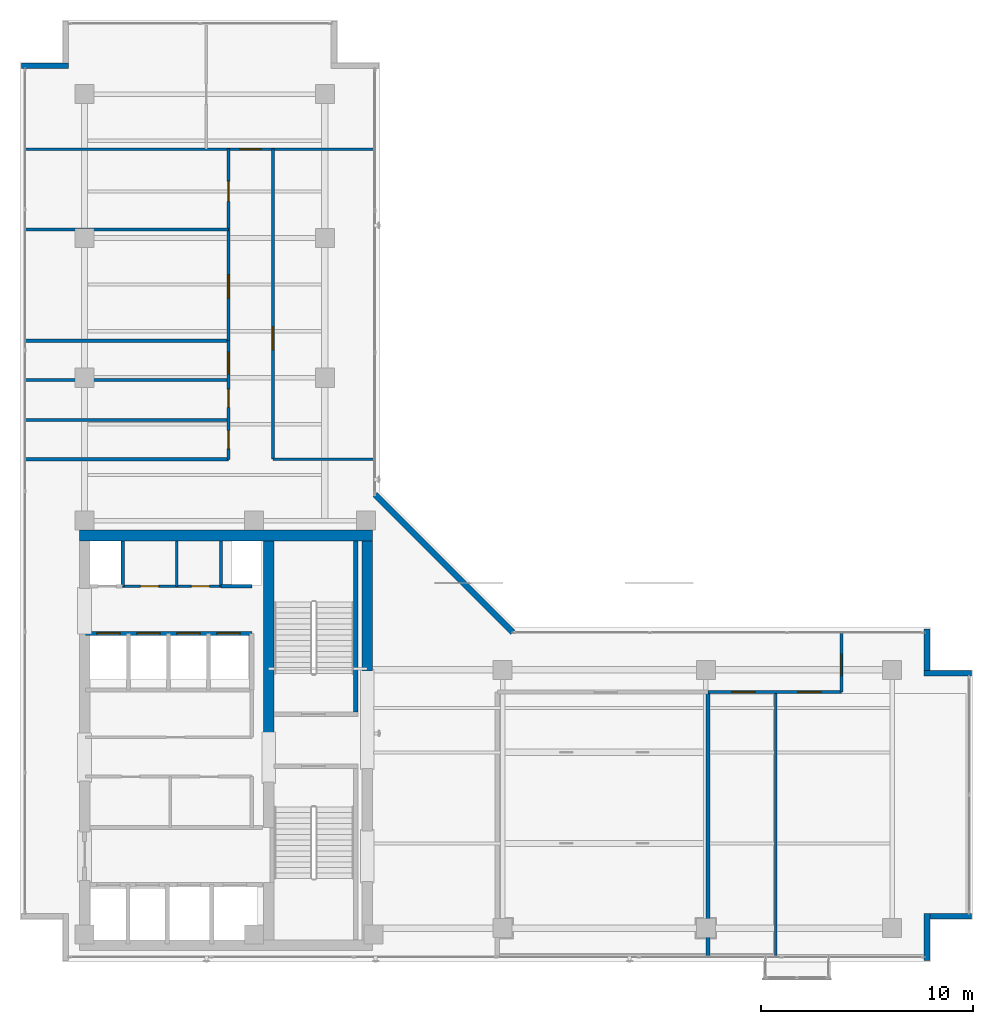
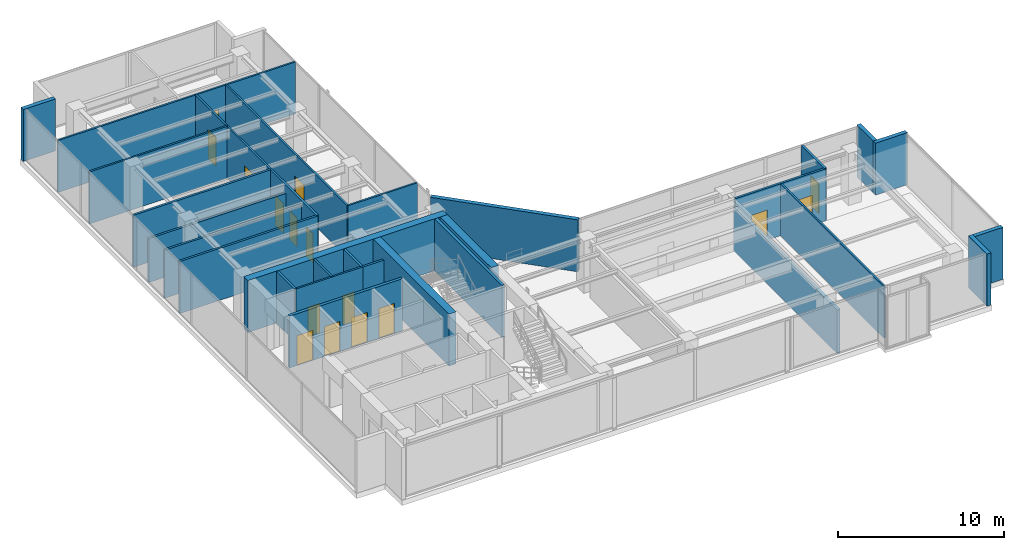
# One storey, part 26 of 32: 30 walls, 16 doors, 16 openings.
"""IFC4 building model written with IfcOpenShell, lengths in metres."""

from ifc_helpers import new_model, si_unit, direction, frame, frame_2d, origin, place, context, subcontext, project, spatial, rectangle, extrude, material, layer, layer_set, type_object, element, fill, save


model = new_model("IFC4")

# Units and contexts
model_context = context("Model", 3, precision=1e-05, world=origin(), true_north=direction((0.0, 1.0)))
body_context = subcontext(model_context, "Body", "Model", "MODEL_VIEW")
ifc_project = project(units=[si_unit("LENGTHUNIT", "METRE"), si_unit("AREAUNIT", "SQUARE_METRE"), si_unit("VOLUMEUNIT", "CUBIC_METRE"), si_unit("PLANEANGLEUNIT", "RADIAN"), si_unit("MASSUNIT", "GRAM", prefix="KILO")], contexts=[model_context])

# Site, building, storey
site_placement = place(None, origin())
site = spatial("IfcSite", under=ifc_project, at=site_placement, CompositionType="ELEMENT")
building_placement = place(site_placement, origin())
building = spatial("IfcBuilding", under=site, at=building_placement, Name="Kolvaren Waterfront Exchange", CompositionType="ELEMENT")
storey_placement = place(building_placement, frame((0.0, 0.0, 352.0)))
storey = spatial("IfcBuildingStorey", under=building, at=storey_placement, Name="L90", CompositionType="ELEMENT", Elevation=352.0)

# Walls
ifc_material_1 = material(Name="Precast concrete C40/50", Category="concrete")
ifc_layer_1 = layer(ifc_material_1, 0.280029296875, Name="Precast concrete C40/50")
ifc_layer_set_1 = layer_set([ifc_layer_1], Name="Precast concrete C40/50")
wall_type_1 = type_object("IfcWallType", Name="ARC-EXT-TERR-280", PredefinedType="SOLIDWALL", material=ifc_layer_set_1)
wall_1_placement = place(storey_placement, frame((47.239990234375, 3.659912109375, 0.0), z_axis=(0.0, 0.0, 1.0), x_axis=(0.0, 1.0, 0.0)))
element("IfcWall", 1, at=wall_1_placement, inside=storey, type_object=wall_type_1, Name="L90 notched corner spandrel pier SE-A", PredefinedType="SOLIDWALL", context=body_context, shape_type="SweptSolid", body=[
    extrude(rectangle(XDim=2.239990234375, YDim=0.280029296875, at=frame_2d((1.1201171875, 0.0))), origin(), (0.0, 0.0, 1.0), 3.820068359375),
])
wall_2_placement = place(storey_placement, frame((47.3798828125, 5.760009765625, 0.0), z_axis=(0.0, 0.0, 1.0), x_axis=(1.0, 0.0, 0.0)))
element("IfcWall", 2, at=wall_2_placement, inside=storey, type_object=wall_type_1, Name="L90 notched corner spandrel pier SE-B", PredefinedType="SOLIDWALL", context=body_context, shape_type="SweptSolid", body=[
    extrude(rectangle(XDim=1.960205078125, YDim=0.280029296875, at=frame_2d((0.97998046875, 0.0))), origin(), (0.0, 0.0, 1.0), 3.820068359375),
])
wall_3_placement = place(storey_placement, frame((47.239990234375, 17.364990234375, 0.0), z_axis=(0.0, 0.0, 1.0), x_axis=(0.0, 1.0, 0.0)))
element("IfcWall", 3, at=wall_3_placement, inside=storey, type_object=wall_type_1, Name="L90 notched corner spandrel pier ENE-A", PredefinedType="SOLIDWALL", context=body_context, shape_type="SweptSolid", body=[
    extrude(rectangle(XDim=1.97509765625, YDim=0.280029296875, at=frame_2d((0.987548828125, 0.0))), origin(), (0.0, 0.0, 1.0), 3.820068359375),
])
for number, where, z_axis, x_axis, name in (
    (4, (47.10009765625, 17.239990234375, 0.0), (0.0, 0.0, 1.0), (1.0, 0.0, 0.0), "L90 notched corner spandrel pier ENE-B"),
    (5, (4.4599609375, 45.93994140625, 0.0), (0.0, 0.0, 1.0), (1.0, 0.0, 0.0), "L90 notched corner spandrel pier NW-A"),
):
    element("IfcWall", number, at=place(storey_placement, frame(where, z_axis=z_axis, x_axis=x_axis)), inside=storey, type_object=wall_type_1, Name=name, PredefinedType="SOLIDWALL", context=body_context, shape_type="SweptSolid", body=[
        extrude(rectangle(XDim=2.239990234375, YDim=0.280029296875, at=frame_2d((1.1201171875, 0.0))), origin(), (0.0, 0.0, 1.0), 3.820068359375),
    ])
wall_4_placement = place(storey_placement, frame((27.68505859375, 19.175048828125, 0.0), z_axis=(0.0, 0.0, 1.0), x_axis=(-0.707106781187, 0.707106781187, 0.0)))
element("IfcWall", 6, at=wall_4_placement, inside=storey, type_object=wall_type_1, Name="L90 notched corner spandrel pier ELBOW", PredefinedType="SOLIDWALL", context=body_context, shape_type="SweptSolid", body=[
    extrude(rectangle(XDim=9.20654296875, YDim=0.280029296875, at=frame_2d((4.603271484375, 0.0))), origin(), (0.0, 0.0, 1.0), 3.820068359375),
])
ifc_layer_2 = layer(ifc_material_1, 0.199951171875, Name="Precast concrete C40/50")
ifc_layer_set_2 = layer_set([ifc_layer_2], Name="Precast concrete C40/50")
wall_type_2 = type_object("IfcWallType", Name="ARC-FIRE-200", PredefinedType="PARTITIONING", material=ifc_layer_set_2)
wall_5_placement = place(storey_placement, frame((36.89990234375, 3.85009765625, 0.0), z_axis=(0.0, 0.0, 1.0), x_axis=(0.0, 1.0, 0.0)))
element("IfcWall", 7, at=wall_5_placement, inside=storey, type_object=wall_type_2, Name="L90 interior wall PW-L90-TMD-E", PredefinedType="PARTITIONING", context=body_context, shape_type="SweptSolid", body=[
    extrude(rectangle(XDim=12.5, YDim=0.199951171875, at=frame_2d((6.25, 0.0))), origin(), (0.0, 0.0, 1.0), 3.219970703125),
])

# Wall, openings, doors
ifc_material_2 = material(Name="Acoustic gypsum steel stud", Category="steel")
ifc_layer_3 = layer(ifc_material_2, 0.125, Name="Acoustic gypsum steel stud")
ifc_layer_set_3 = layer_set([ifc_layer_3], Name="Acoustic gypsum steel stud")
wall_type_3 = type_object("IfcWallType", Name="ARC-PART-125", PredefinedType="PARTITIONING", material=ifc_layer_set_3)
wall_6_placement = place(storey_placement, frame((9.25, 21.35009765625, 0.0), z_axis=(0.0, 0.0, 1.0), x_axis=(1.0, 0.0, 0.0)))
wall_6 = element("IfcWall", 8, at=wall_6_placement, inside=storey, type_object=wall_type_3, Name="L90 interior wall PW-L90-SVC-HI-S", PredefinedType="PARTITIONING", context=body_context, shape_type="SweptSolid", body=[
    extrude(rectangle(XDim=4.64990234375, YDim=0.125, at=frame_2d((2.324951171875, 0.0))), origin(), (0.0, 0.0, 1.0), 3.820068359375),
])
opening_1_placement = place(wall_6_placement, frame((0.85009765625, 0.0, 0.0)))
opening_1 = element("IfcOpeningElement", 9, at=opening_1_placement, cuts=wall_6, Name="Opening D01", PredefinedType="OPENING", context=body_context, shape_type="SweptSolid", body=[
    extrude(rectangle(XDim=0.85009765625, YDim=2.14990234375, at=frame_2d((0.425048828125, 1.074951171875))), frame((0.0, 0.072509765625, 0.0), z_axis=(0.0, -1.0, 0.0), x_axis=(1.0, 0.0, 0.0)), (0.0, 0.0, 1.0), 0.14501953125),
])
opening_2_placement = place(wall_6_placement, frame((3.25, 0.0, 0.0)))
opening_2 = element("IfcOpeningElement", 10, at=opening_2_placement, cuts=wall_6, Name="Opening D01", PredefinedType="OPENING", context=body_context, shape_type="SweptSolid", body=[
    extrude(rectangle(XDim=0.85009765625, YDim=2.14990234375, at=frame_2d((0.425048828125, 1.074951171875))), frame((0.0, 0.072509765625, 0.0), z_axis=(0.0, -1.0, 0.0), x_axis=(1.0, 0.0, 0.0)), (0.0, 0.0, 1.0), 0.14501953125),
])
ifc_material_3 = material(Name="Oak veneer timber leaf", Category="wood")
door_type_1 = type_object("IfcDoorType", Name="ARC-DR-900", OperationType="NOTDEFINED", PredefinedType="DOOR", material=ifc_material_3)
door_1_placement = place(opening_1_placement, origin())
door_1 = element("IfcDoor", 11, at=door_1_placement, inside=storey, type_object=door_type_1, Name="L90 door DR-L90-SVC-DR-1 (D01)", OperationType="SINGLE_SWING_RIGHT", OverallHeight=2.14990234375, OverallWidth=0.85009765625, PredefinedType="DOOR", context=body_context, shape_type="SweptSolid", body=[
    extrude(rectangle(XDim=0.85009765625, YDim=2.14990234375, at=frame_2d((0.425048828125, 1.074951171875))), frame((0.0, 0.02490234375, 0.0), z_axis=(0.0, -1.0, 0.0), x_axis=(1.0, 0.0, 0.0)), (0.0, 0.0, 1.0), 0.050048828125),
])
fill(opening_1, door_1)
door_2_placement = place(opening_2_placement, origin())
door_2 = element("IfcDoor", 12, at=door_2_placement, inside=storey, type_object=door_type_1, Name="L90 door DR-L90-SVC-DR-2 (D01)", OperationType="SINGLE_SWING_LEFT", OverallHeight=2.14990234375, OverallWidth=0.85009765625, PredefinedType="DOOR", context=body_context, shape_type="SweptSolid", body=[
    extrude(rectangle(XDim=0.85009765625, YDim=2.14990234375, at=frame_2d((0.425048828125, 1.074951171875))), frame((0.0, 0.02490234375, 0.0), z_axis=(0.0, -1.0, 0.0), x_axis=(1.0, 0.0, 0.0)), (0.0, 0.0, 1.0), 0.050048828125),
])
fill(opening_2, door_2)

# Walls
wall_7_placement = place(storey_placement, frame((11.800048828125, 21.35009765625, 0.0), z_axis=(0.0, 0.0, 1.0), x_axis=(0.0, 1.0, 0.0)))
element("IfcWall", 13, at=wall_7_placement, inside=storey, type_object=wall_type_3, Name="L90 interior wall PW-L90-SVC-HI-M", PredefinedType="PARTITIONING", context=body_context, shape_type="SweptSolid", body=[
    extrude(rectangle(XDim=2.1298828125, YDim=0.125, at=frame_2d((1.06494140625, 0.0))), origin(), (0.0, 0.0, 1.0), 3.820068359375),
])
wall_8_placement = place(storey_placement, frame((40.10009765625, 3.85009765625, 0.0), z_axis=(0.0, 0.0, 1.0), x_axis=(0.0, 1.0, 0.0)))
element("IfcWall", 14, at=wall_8_placement, inside=storey, type_object=wall_type_3, Name="L90 interior wall PW-L90-CR-EB-MID", PredefinedType="PARTITIONING", context=body_context, shape_type="SweptSolid", body=[
    extrude(rectangle(XDim=12.5, YDim=0.125, at=frame_2d((6.25, 0.0))), origin(), (0.0, 0.0, 1.0), 3.820068359375),
])

# Wall, openings, doors
wall_9_placement = place(storey_placement, frame((14.25, 32.949951171875, 0.0), z_axis=(0.0, 0.0, 1.0), x_axis=(0.0, 1.0, 0.0)))
wall_9 = element("IfcWall", 15, at=wall_9_placement, inside=storey, type_object=wall_type_3, Name="L90 interior wall PW-L90-CR-MEM-E", PredefinedType="PARTITIONING", context=body_context, shape_type="SweptSolid", body=[
    extrude(rectangle(XDim=9.050048828125, YDim=0.125, at=frame_2d((4.52490234375, 0.0))), origin(), (0.0, 0.0, 1.0), 3.820068359375),
])
opening_3_placement = place(wall_9_placement, frame((2.00439453125, 0.0, 0.0)))
opening_3 = element("IfcOpeningElement", 16, at=opening_3_placement, cuts=wall_9, Name="Opening D04", PredefinedType="OPENING", context=body_context, shape_type="SweptSolid", body=[
    extrude(rectangle(XDim=1.10009765625, YDim=2.199951171875, at=frame_2d((0.550048828125, 1.10009765625))), frame((0.0, 0.072509765625, 0.0), z_axis=(0.0, -1.0, 0.0), x_axis=(1.0, 0.0, 0.0)), (0.0, 0.0, 1.0), 0.14501953125),
])
opening_4_placement = place(wall_9_placement, frame((6.576904296875, 0.0, 0.0)))
opening_4 = element("IfcOpeningElement", 17, at=opening_4_placement, cuts=wall_9, Name="Opening D02", PredefinedType="OPENING", context=body_context, shape_type="SweptSolid", body=[
    extrude(rectangle(XDim=0.949951171875, YDim=2.14990234375, at=frame_2d((0.47509765625, 1.074951171875))), frame((0.0, 0.072509765625, 0.0), z_axis=(0.0, -1.0, 0.0), x_axis=(1.0, 0.0, 0.0)), (0.0, 0.0, 1.0), 0.14501953125),
])
ifc_material_4 = material(Name="Anodised bronze framed glass", Category="aluminium")
door_type_2 = type_object("IfcDoorType", Name="ARC-DR-1100", OperationType="NOTDEFINED", PredefinedType="DOOR", material=ifc_material_4)
door_3_placement = place(opening_3_placement, origin())
door_3 = element("IfcDoor", 18, at=door_3_placement, inside=storey, type_object=door_type_2, Name="L90 door DR-L90-CM1-D (D04)", OperationType="SINGLE_SWING_LEFT", OverallHeight=2.199951171875, OverallWidth=1.10009765625, PredefinedType="DOOR", context=body_context, shape_type="SweptSolid", body=[
    extrude(rectangle(XDim=1.10009765625, YDim=2.199951171875, at=frame_2d((0.550048828125, 1.10009765625))), frame((0.0, 0.02490234375, 0.0), z_axis=(0.0, -1.0, 0.0), x_axis=(1.0, 0.0, 0.0)), (0.0, 0.0, 1.0), 0.050048828125),
])
fill(opening_3, door_3)
ifc_material_5 = material(Name="Oak veneer acoustic timber", Category="wood")
door_type_3 = type_object("IfcDoorType", Name="ARC-DR-950", OperationType="NOTDEFINED", PredefinedType="DOOR", material=ifc_material_5)
door_4_placement = place(opening_4_placement, origin())
door_4 = element("IfcDoor", 19, at=door_4_placement, inside=storey, type_object=door_type_3, Name="L90 door DR-L90-CMP-D (D02)", OperationType="SINGLE_SWING_RIGHT", OverallHeight=2.14990234375, OverallWidth=0.949951171875, PredefinedType="DOOR", context=body_context, shape_type="SweptSolid", body=[
    extrude(rectangle(XDim=0.949951171875, YDim=2.14990234375, at=frame_2d((0.47509765625, 1.074951171875))), frame((0.0, 0.02490234375, 0.0), z_axis=(0.0, -1.0, 0.0), x_axis=(1.0, 0.0, 0.0)), (0.0, 0.0, 1.0), 0.050048828125),
])
fill(opening_4, door_4)

# Wall
wall_10_placement = place(storey_placement, frame((4.64990234375, 38.199951171875, 0.0), z_axis=(0.0, 0.0, 1.0), x_axis=(1.0, 0.0, 0.0)))
element("IfcWall", 20, at=wall_10_placement, inside=storey, type_object=wall_type_3, Name="L90 interior wall PW-L90-CR-MEM-MID", PredefinedType="PARTITIONING", context=body_context, shape_type="SweptSolid", body=[
    extrude(rectangle(XDim=9.60009765625, YDim=0.125, at=frame_2d((4.800048828125, 0.0))), origin(), (0.0, 0.0, 1.0), 3.820068359375),
])

# Wall, opening, door
wall_11_placement = place(storey_placement, frame((4.64990234375, 42.0, 0.0), z_axis=(0.0, 0.0, 1.0), x_axis=(1.0, 0.0, 0.0)))
wall_11 = element("IfcWall", 21, at=wall_11_placement, inside=storey, type_object=wall_type_3, Name="L90 interior wall PW-L90-CR-MEM-TOP", PredefinedType="PARTITIONING", context=body_context, shape_type="SweptSolid", body=[
    extrude(rectangle(XDim=16.5, YDim=0.125, at=frame_2d((8.25, 0.0))), origin(), (0.0, 0.0, 1.0), 3.820068359375),
])
opening_5_placement = place(wall_11_placement, frame((10.14990234375, 0.0, 0.0)))
opening_5 = element("IfcOpeningElement", 22, at=opening_5_placement, cuts=wall_11, Name="Opening D03", PredefinedType="OPENING", context=body_context, shape_type="SweptSolid", body=[
    extrude(rectangle(XDim=1.0, YDim=2.199951171875, at=frame_2d((0.5, 1.10009765625))), frame((0.0, 0.072509765625, 0.0), z_axis=(0.0, -1.0, 0.0), x_axis=(1.0, 0.0, 0.0)), (0.0, 0.0, 1.0), 0.14501953125),
])
ifc_material_6 = material(Name="Oak veneer accessible timber", Category="wood")
door_type_4 = type_object("IfcDoorType", Name="ARC-DR-1000", OperationType="NOTDEFINED", PredefinedType="DOOR", material=ifc_material_6)
door_5_placement = place(opening_5_placement, origin())
door_5 = element("IfcDoor", 23, at=door_5_placement, inside=storey, type_object=door_type_4, Name="L90 door DR-L90-CRNT-D (D03)", OperationType="SINGLE_SWING_LEFT", OverallHeight=2.199951171875, OverallWidth=1.0, PredefinedType="DOOR", context=body_context, shape_type="SweptSolid", body=[
    extrude(rectangle(XDim=1.0, YDim=2.199951171875, at=frame_2d((0.5, 1.10009765625))), frame((0.0, 0.02490234375, 0.0), z_axis=(0.0, -1.0, 0.0), x_axis=(1.0, 0.0, 0.0)), (0.0, 0.0, 1.0), 0.050048828125),
])
fill(opening_5, door_5)

wall_12_placement = place(storey_placement, frame((16.35009765625, 27.35009765625, 0.0), z_axis=(0.0, 0.0, 1.0), x_axis=(0.0, 1.0, 0.0)))
wall_12 = element("IfcWall", 24, at=wall_12_placement, inside=storey, type_object=wall_type_3, Name="L90 interior wall PW-L90-CR-ELB-W", PredefinedType="PARTITIONING", context=body_context, shape_type="SweptSolid", body=[
    extrude(rectangle(XDim=14.64990234375, YDim=0.125, at=frame_2d((7.324951171875, 0.0))), origin(), (0.0, 0.0, 1.0), 3.820068359375),
])
opening_6_placement = place(wall_12_placement, frame((5.17041015625, 0.0, 0.0)))
opening_6 = element("IfcOpeningElement", 25, at=opening_6_placement, cuts=wall_12, Name="Opening D04", PredefinedType="OPENING", context=body_context, shape_type="SweptSolid", body=[
    extrude(rectangle(XDim=1.10009765625, YDim=2.199951171875, at=frame_2d((0.550048828125, 1.10009765625))), frame((0.0, 0.072509765625, 0.0), z_axis=(0.0, -1.0, 0.0), x_axis=(1.0, 0.0, 0.0)), (0.0, 0.0, 1.0), 0.14501953125),
])
door_6_placement = place(opening_6_placement, origin())
door_6 = element("IfcDoor", 26, at=door_6_placement, inside=storey, type_object=door_type_2, Name="L90 door DR-L90-CSE-D (D04)", OperationType="SINGLE_SWING_LEFT", OverallHeight=2.199951171875, OverallWidth=1.10009765625, PredefinedType="DOOR", context=body_context, shape_type="SweptSolid", body=[
    extrude(rectangle(XDim=1.10009765625, YDim=2.199951171875, at=frame_2d((0.550048828125, 1.10009765625))), frame((0.0, 0.02490234375, 0.0), z_axis=(0.0, -1.0, 0.0), x_axis=(1.0, 0.0, 0.0)), (0.0, 0.0, 1.0), 0.050048828125),
])
fill(opening_6, door_6)

# Walls
wall_13_placement = place(storey_placement, frame((16.35009765625, 27.35009765625, 0.0), z_axis=(0.0, 0.0, 1.0), x_axis=(1.0, 0.0, 0.0)))
element("IfcWall", 27, at=wall_13_placement, inside=storey, type_object=wall_type_3, Name="L90 interior wall PW-L90-CR-ELB-S", PredefinedType="PARTITIONING", context=body_context, shape_type="SweptSolid", body=[
    extrude(rectangle(XDim=4.7998046875, YDim=0.125, at=frame_2d((2.39990234375, 0.0))), origin(), (0.0, 0.0, 1.0), 3.820068359375),
])
ifc_material_7 = material(Name="Gypsum fireboard steel stud", Category="steel")
ifc_layer_4 = layer(ifc_material_7, 0.14990234375, Name="Gypsum fireboard steel stud")
ifc_layer_set_4 = layer_set([ifc_layer_4], Name="Gypsum fireboard steel stud")
wall_type_4 = type_object("IfcWallType", Name="ARC-PART-150", PredefinedType="PARTITIONING", material=ifc_layer_set_4)
for number, where, z_axis, x_axis, name in (
    (28, (9.25, 21.35009765625, 0.0), (0.0, 0.0, 1.0), (0.0, 1.0, 0.0), "L90 interior wall PW-L90-SVC-R1"),
    (29, (13.89990234375, 21.35009765625, 0.0), (0.0, 0.0, 1.0), (0.0, 1.0, 0.0), "L90 interior wall PW-L90-SVC-R2"),
):
    element("IfcWall", number, at=place(storey_placement, frame(where, z_axis=z_axis, x_axis=x_axis)), inside=storey, type_object=wall_type_4, Name=name, PredefinedType="PARTITIONING", context=body_context, shape_type="SweptSolid", body=[
        extrude(rectangle(XDim=2.1298828125, YDim=0.14990234375, at=frame_2d((1.06494140625, 0.0))), origin(), (0.0, 0.0, 1.0), 3.820068359375),
    ])
wall_14_placement = place(storey_placement, frame((13.89990234375, 21.35009765625, 0.0), z_axis=(0.0, 0.0, 1.0), x_axis=(1.0, 0.0, 0.0)))
element("IfcWall", 30, at=wall_14_placement, inside=storey, type_object=wall_type_4, Name="L90 interior wall PW-L90-SVC-RP-S", PredefinedType="PARTITIONING", context=body_context, shape_type="SweptSolid", body=[
    extrude(rectangle(XDim=1.4501953125, YDim=0.14990234375, at=frame_2d((0.72509765625, 0.0))), origin(), (0.0, 0.0, 1.0), 3.820068359375),
])

# Wall, openings, doors
wall_15_placement = place(storey_placement, frame((36.89990234375, 16.35009765625, 0.0), z_axis=(0.0, 0.0, 1.0), x_axis=(1.0, 0.0, 0.0)))
wall_15 = element("IfcWall", 31, at=wall_15_placement, inside=storey, type_object=wall_type_4, Name="L90 interior wall PW-L90-CR-CORR-S", PredefinedType="PARTITIONING", context=body_context, shape_type="SweptSolid", body=[
    extrude(rectangle(XDim=6.300048828125, YDim=0.14990234375, at=frame_2d((3.14990234375, 0.0))), origin(), (0.0, 0.0, 1.0), 3.820068359375),
])
opening_7_placement = place(wall_15_placement, frame((1.128662109375, 0.0, 0.0)))
opening_7 = element("IfcOpeningElement", 32, at=opening_7_placement, cuts=wall_15, Name="Opening D04", PredefinedType="OPENING", context=body_context, shape_type="SweptSolid", body=[
    extrude(rectangle(XDim=1.10009765625, YDim=2.199951171875, at=frame_2d((0.550048828125, 1.10009765625))), frame((0.0, 0.0849609375, 0.0), z_axis=(0.0, -1.0, 0.0), x_axis=(1.0, 0.0, 0.0)), (0.0, 0.0, 1.0), 0.169921875),
])
opening_8_placement = place(wall_15_placement, frame((4.25, 0.0, 0.0)))
opening_8 = element("IfcOpeningElement", 33, at=opening_8_placement, cuts=wall_15, Name="Opening D04", PredefinedType="OPENING", context=body_context, shape_type="SweptSolid", body=[
    extrude(rectangle(XDim=1.10009765625, YDim=2.199951171875, at=frame_2d((0.550048828125, 1.10009765625))), frame((0.0, 0.0849609375, 0.0), z_axis=(0.0, -1.0, 0.0), x_axis=(1.0, 0.0, 0.0)), (0.0, 0.0, 1.0), 0.169921875),
])
door_7_placement = place(opening_7_placement, origin())
door_7 = element("IfcDoor", 34, at=door_7_placement, inside=storey, type_object=door_type_2, Name="L90 door DR-L90-CRB1-D (D04)", OperationType="SINGLE_SWING_LEFT", OverallHeight=2.199951171875, OverallWidth=1.10009765625, PredefinedType="DOOR", context=body_context, shape_type="SweptSolid", body=[
    extrude(rectangle(XDim=1.10009765625, YDim=2.199951171875, at=frame_2d((0.550048828125, 1.10009765625))), frame((0.0, 0.02490234375, 0.0), z_axis=(0.0, -1.0, 0.0), x_axis=(1.0, 0.0, 0.0)), (0.0, 0.0, 1.0), 0.050048828125),
])
fill(opening_7, door_7)
door_8_placement = place(opening_8_placement, origin())
door_8 = element("IfcDoor", 35, at=door_8_placement, inside=storey, type_object=door_type_2, Name="L90 door DR-L90-CRB2-D (D04)", OperationType="SINGLE_SWING_RIGHT", OverallHeight=2.199951171875, OverallWidth=1.10009765625, PredefinedType="DOOR", context=body_context, shape_type="SweptSolid", body=[
    extrude(rectangle(XDim=1.10009765625, YDim=2.199951171875, at=frame_2d((0.550048828125, 1.10009765625))), frame((0.0, 0.02490234375, 0.0), z_axis=(0.0, -1.0, 0.0), x_axis=(1.0, 0.0, 0.0)), (0.0, 0.0, 1.0), 0.050048828125),
])
fill(opening_8, door_8)

# Wall, opening, door
wall_16_placement = place(storey_placement, frame((43.199951171875, 16.35009765625, 0.0), z_axis=(0.0, 0.0, 1.0), x_axis=(0.0, 1.0, 0.0)))
wall_16 = element("IfcWall", 36, at=wall_16_placement, inside=storey, type_object=wall_type_4, Name="L90 interior wall PW-L90-CR-CORR-E", PredefinedType="PARTITIONING", context=body_context, shape_type="SweptSolid", body=[
    extrude(rectangle(XDim=2.7998046875, YDim=0.14990234375, at=frame_2d((1.39990234375, 0.0))), origin(), (0.0, 0.0, 1.0), 3.820068359375),
])
opening_9_placement = place(wall_16_placement, frame((0.780029296875, 0.0, 0.0)))
opening_9 = element("IfcOpeningElement", 37, at=opening_9_placement, cuts=wall_16, Name="Opening D03", PredefinedType="OPENING", context=body_context, shape_type="SweptSolid", body=[
    extrude(rectangle(XDim=1.0, YDim=2.199951171875, at=frame_2d((0.5, 1.10009765625))), frame((0.0, 0.0849609375, 0.0), z_axis=(0.0, -1.0, 0.0), x_axis=(1.0, 0.0, 0.0)), (0.0, 0.0, 1.0), 0.169921875),
])
door_9_placement = place(opening_9_placement, origin())
door_9 = element("IfcDoor", 38, at=door_9_placement, inside=storey, type_object=door_type_4, Name="L90 door DR-L90-CRB3-D (D03)", OperationType="SINGLE_SWING_LEFT", OverallHeight=2.199951171875, OverallWidth=1.0, PredefinedType="DOOR", context=body_context, shape_type="SweptSolid", body=[
    extrude(rectangle(XDim=1.0, YDim=2.199951171875, at=frame_2d((0.5, 1.10009765625))), frame((0.0, 0.02490234375, 0.0), z_axis=(0.0, -1.0, 0.0), x_axis=(1.0, 0.0, 0.0)), (0.0, 0.0, 1.0), 0.050048828125),
])
fill(opening_9, door_9)

# Wall
ifc_material_8 = material(Name="Moisture-resistant gypsum stud")
ifc_layer_5 = layer(ifc_material_8, 0.14990234375, Name="Moisture-resistant gypsum stud")
ifc_layer_set_5 = layer_set([ifc_layer_5], Name="Moisture-resistant gypsum stud")
wall_type_5 = type_object("IfcWallType", Name="ARC-PLUMB-150", PredefinedType="PLUMBINGWALL", material=ifc_layer_set_5)
wall_17_placement = place(storey_placement, frame((4.64990234375, 27.35009765625, 0.0), z_axis=(0.0, 0.0, 1.0), x_axis=(1.0, 0.0, 0.0)))
element("IfcWall", 39, at=wall_17_placement, inside=storey, type_object=wall_type_5, Name="L90 interior wall PW-L90-CR-WC0", PredefinedType="PLUMBINGWALL", context=body_context, shape_type="SweptSolid", body=[
    extrude(rectangle(XDim=9.60009765625, YDim=0.14990234375, at=frame_2d((4.800048828125, 0.0))), origin(), (0.0, 0.0, 1.0), 3.820068359375),
])

# Wall, openings, doors
wall_18_placement = place(storey_placement, frame((14.25, 27.35009765625, 0.0), z_axis=(0.0, 0.0, 1.0), x_axis=(0.0, 1.0, 0.0)))
wall_18 = element("IfcWall", 40, at=wall_18_placement, inside=storey, type_object=wall_type_5, Name="L90 interior wall PW-L90-CR-WC-E", PredefinedType="PLUMBINGWALL", context=body_context, shape_type="SweptSolid", body=[
    extrude(rectangle(XDim=5.599853515625, YDim=0.14990234375, at=frame_2d((2.7998046875, 0.0))), origin(), (0.0, 0.0, 1.0), 3.820068359375),
])
opening_10_placement = place(wall_18_placement, frame((0.5, 0.0, 0.0)))
opening_10 = element("IfcOpeningElement", 41, at=opening_10_placement, cuts=wall_18, Name="Opening D01", PredefinedType="OPENING", context=body_context, shape_type="SweptSolid", body=[
    extrude(rectangle(XDim=0.85009765625, YDim=2.14990234375, at=frame_2d((0.425048828125, 1.074951171875))), frame((0.0, 0.0849609375, 0.0), z_axis=(0.0, -1.0, 0.0), x_axis=(1.0, 0.0, 0.0)), (0.0, 0.0, 1.0), 0.169921875),
])
opening_11_placement = place(wall_18_placement, frame((2.449951171875, 0.0, 0.0)))
opening_11 = element("IfcOpeningElement", 42, at=opening_11_placement, cuts=wall_18, Name="Opening D01", PredefinedType="OPENING", context=body_context, shape_type="SweptSolid", body=[
    extrude(rectangle(XDim=0.85009765625, YDim=2.14990234375, at=frame_2d((0.425048828125, 1.074951171875))), frame((0.0, 0.0849609375, 0.0), z_axis=(0.0, -1.0, 0.0), x_axis=(1.0, 0.0, 0.0)), (0.0, 0.0, 1.0), 0.169921875),
])
opening_12_placement = place(wall_18_placement, frame((4.050048828125, 0.0, 0.0)))
opening_12 = element("IfcOpeningElement", 43, at=opening_12_placement, cuts=wall_18, Name="Opening D03", PredefinedType="OPENING", context=body_context, shape_type="SweptSolid", body=[
    extrude(rectangle(XDim=1.0, YDim=2.199951171875, at=frame_2d((0.5, 1.10009765625))), frame((0.0, 0.0849609375, 0.0), z_axis=(0.0, -1.0, 0.0), x_axis=(1.0, 0.0, 0.0)), (0.0, 0.0, 1.0), 0.169921875),
])
door_10_placement = place(opening_12_placement, origin())
door_10 = element("IfcDoor", 44, at=door_10_placement, inside=storey, type_object=door_type_4, Name="L90 door DR-L90-CWCA-D (D03)", OperationType="SINGLE_SWING_RIGHT", OverallHeight=2.199951171875, OverallWidth=1.0, PredefinedType="DOOR", context=body_context, shape_type="SweptSolid", body=[
    extrude(rectangle(XDim=1.0, YDim=2.199951171875, at=frame_2d((0.5, 1.10009765625))), frame((0.0, 0.02490234375, 0.0), z_axis=(0.0, -1.0, 0.0), x_axis=(1.0, 0.0, 0.0)), (0.0, 0.0, 1.0), 0.050048828125),
])
fill(opening_12, door_10)
door_11_placement = place(opening_10_placement, origin())
door_11 = element("IfcDoor", 45, at=door_11_placement, inside=storey, type_object=door_type_1, Name="L90 door DR-L90-CWCM-D (D01)", OperationType="SINGLE_SWING_RIGHT", OverallHeight=2.14990234375, OverallWidth=0.85009765625, PredefinedType="DOOR", context=body_context, shape_type="SweptSolid", body=[
    extrude(rectangle(XDim=0.85009765625, YDim=2.14990234375, at=frame_2d((0.425048828125, 1.074951171875))), frame((0.0, 0.02490234375, 0.0), z_axis=(0.0, -1.0, 0.0), x_axis=(1.0, 0.0, 0.0)), (0.0, 0.0, 1.0), 0.050048828125),
])
fill(opening_10, door_11)
door_12_placement = place(opening_11_placement, origin())
door_12 = element("IfcDoor", 46, at=door_12_placement, inside=storey, type_object=door_type_1, Name="L90 door DR-L90-CWCF-D (D01)", OperationType="SINGLE_SWING_LEFT", OverallHeight=2.14990234375, OverallWidth=0.85009765625, PredefinedType="DOOR", context=body_context, shape_type="SweptSolid", body=[
    extrude(rectangle(XDim=0.85009765625, YDim=2.14990234375, at=frame_2d((0.425048828125, 1.074951171875))), frame((0.0, 0.02490234375, 0.0), z_axis=(0.0, -1.0, 0.0), x_axis=(1.0, 0.0, 0.0)), (0.0, 0.0, 1.0), 0.050048828125),
])
fill(opening_11, door_12)

# Walls
wall_19_placement = place(storey_placement, frame((4.64990234375, 29.199951171875, 0.0), z_axis=(0.0, 0.0, 1.0), x_axis=(1.0, 0.0, 0.0)))
element("IfcWall", 47, at=wall_19_placement, inside=storey, type_object=wall_type_5, Name="L90 interior wall PW-L90-CR-WC1", PredefinedType="PLUMBINGWALL", context=body_context, shape_type="SweptSolid", body=[
    extrude(rectangle(XDim=9.60009765625, YDim=0.14990234375, at=frame_2d((4.800048828125, 0.0))), origin(), (0.0, 0.0, 1.0), 3.52001953125),
])
wall_20_placement = place(storey_placement, frame((4.64990234375, 31.10009765625, 0.0), z_axis=(0.0, 0.0, 1.0), x_axis=(1.0, 0.0, 0.0)))
element("IfcWall", 48, at=wall_20_placement, inside=storey, type_object=wall_type_5, Name="L90 interior wall PW-L90-CR-WC2", PredefinedType="PLUMBINGWALL", context=body_context, shape_type="SweptSolid", body=[
    extrude(rectangle(XDim=9.60009765625, YDim=0.14990234375, at=frame_2d((4.800048828125, 0.0))), origin(), (0.0, 0.0, 1.0), 3.219970703125),
])
wall_21_placement = place(storey_placement, frame((4.64990234375, 32.949951171875, 0.0), z_axis=(0.0, 0.0, 1.0), x_axis=(1.0, 0.0, 0.0)))
element("IfcWall", 49, at=wall_21_placement, inside=storey, type_object=wall_type_5, Name="L90 interior wall PW-L90-CR-WC3", PredefinedType="PLUMBINGWALL", context=body_context, shape_type="SweptSolid", body=[
    extrude(rectangle(XDim=9.60009765625, YDim=0.14990234375, at=frame_2d((4.800048828125, 0.0))), origin(), (0.0, 0.0, 1.0), 3.820068359375),
])
ifc_material_9 = material(Name="Concrete C40/50", Category="concrete")
ifc_layer_6 = layer(ifc_material_9, 0.199951171875, Name="Concrete C40/50")
ifc_layer_set_6 = layer_set([ifc_layer_6], Name="Concrete C40/50")
wall_type_6 = type_object("IfcWallType", Name="ARC-SHAFT-200", PredefinedType="PARTITIONING", material=ifc_layer_set_6)
wall_22_placement = place(storey_placement, frame((20.260009765625, 15.39990234375, 0.0), z_axis=(0.0, 0.0, 1.0), x_axis=(0.0, 1.0, 0.0)))
element("IfcWall", 50, at=wall_22_placement, inside=storey, type_object=wall_type_6, Name="L90 structural stairwell wall PW-L90-ST2-E", PredefinedType="SHEAR", context=body_context, shape_type="SweptSolid", body=[
    extrude(rectangle(XDim=8.090087890625, YDim=0.199951171875, at=frame_2d((4.044921875, 0.0))), origin(), (0.0, 0.0, 1.0), 3.820068359375),
])

# Wall, openings, doors
wall_23_placement = place(storey_placement, frame((7.5, 19.1201171875, 0.0), z_axis=(0.0, 0.0, 1.0), x_axis=(1.0, 0.0, 0.0)))
wall_23 = element("IfcWall", 51, at=wall_23_placement, inside=storey, type_object=wall_type_6, Name="L90 interior wall PW-L90-PH-N", PredefinedType="PARTITIONING", context=body_context, shape_type="SweptSolid", body=[
    extrude(rectangle(XDim=7.85009765625, YDim=0.199951171875, at=frame_2d((3.925048828125, 0.0))), origin(), (0.0, 0.0, 1.0), 3.820068359375),
])
opening_13_placement = place(wall_23_placement, frame((0.530029296875, 0.0, 0.0)))
opening_13 = element("IfcOpeningElement", 52, at=opening_13_placement, cuts=wall_23, Name="Opening LD2", PredefinedType="OPENING", context=body_context, shape_type="SweptSolid", body=[
    extrude(rectangle(XDim=1.10009765625, YDim=2.199951171875, at=frame_2d((0.550048828125, 1.10009765625))), frame((0.0, 0.10986328125, 0.0), z_axis=(0.0, -1.0, 0.0), x_axis=(1.0, 0.0, 0.0)), (0.0, 0.0, 1.0), 0.219970703125),
])
opening_14_placement = place(wall_23_placement, frame((2.419921875, 0.0, 0.0)))
opening_14 = element("IfcOpeningElement", 53, at=opening_14_placement, cuts=wall_23, Name="Opening LD2", PredefinedType="OPENING", context=body_context, shape_type="SweptSolid", body=[
    extrude(rectangle(XDim=1.10009765625, YDim=2.199951171875, at=frame_2d((0.550048828125, 1.10009765625))), frame((0.0, 0.10986328125, 0.0), z_axis=(0.0, -1.0, 0.0), x_axis=(1.0, 0.0, 0.0)), (0.0, 0.0, 1.0), 0.219970703125),
])
opening_15_placement = place(wall_23_placement, frame((4.31005859375, 0.0, 0.0)))
opening_15 = element("IfcOpeningElement", 54, at=opening_15_placement, cuts=wall_23, Name="Opening LD2", PredefinedType="OPENING", context=body_context, shape_type="SweptSolid", body=[
    extrude(rectangle(XDim=1.10009765625, YDim=2.199951171875, at=frame_2d((0.550048828125, 1.10009765625))), frame((0.0, 0.10986328125, 0.0), z_axis=(0.0, -1.0, 0.0), x_axis=(1.0, 0.0, 0.0)), (0.0, 0.0, 1.0), 0.219970703125),
])
opening_16_placement = place(wall_23_placement, frame((6.199951171875, 0.0, 0.0)))
opening_16 = element("IfcOpeningElement", 55, at=opening_16_placement, cuts=wall_23, Name="Opening LD2", PredefinedType="OPENING", context=body_context, shape_type="SweptSolid", body=[
    extrude(rectangle(XDim=1.10009765625, YDim=2.199951171875, at=frame_2d((0.550048828125, 1.10009765625))), frame((0.0, 0.10986328125, 0.0), z_axis=(0.0, -1.0, 0.0), x_axis=(1.0, 0.0, 0.0)), (0.0, 0.0, 1.0), 0.219970703125),
])
ifc_material_10 = material(Name="Brushed bronze sliding landing door", Category="aluminium")
door_type_5 = type_object("IfcDoorType", Name="ARC-LD-PAX", OperationType="SLIDING_TO_LEFT", PredefinedType="DOOR", material=ifc_material_10)
door_13_placement = place(opening_13_placement, origin())
door_13 = element("IfcDoor", 56, at=door_13_placement, inside=storey, type_object=door_type_5, Name="L90 door LD-L90-PH1 (LD2)", OperationType="SLIDING_TO_LEFT", OverallHeight=2.199951171875, OverallWidth=1.10009765625, PredefinedType="DOOR", context=body_context, shape_type="SweptSolid", body=[
    extrude(rectangle(XDim=1.10009765625, YDim=2.199951171875, at=frame_2d((0.550048828125, 1.10009765625))), frame((0.0, 0.02490234375, 0.0), z_axis=(0.0, -1.0, 0.0), x_axis=(1.0, 0.0, 0.0)), (0.0, 0.0, 1.0), 0.050048828125),
])
fill(opening_13, door_13)
door_14_placement = place(opening_14_placement, origin())
door_14 = element("IfcDoor", 57, at=door_14_placement, inside=storey, type_object=door_type_5, Name="L90 door LD-L90-PH2 (LD2)", OperationType="SLIDING_TO_LEFT", OverallHeight=2.199951171875, OverallWidth=1.10009765625, PredefinedType="DOOR", context=body_context, shape_type="SweptSolid", body=[
    extrude(rectangle(XDim=1.10009765625, YDim=2.199951171875, at=frame_2d((0.550048828125, 1.10009765625))), frame((0.0, 0.02490234375, 0.0), z_axis=(0.0, -1.0, 0.0), x_axis=(1.0, 0.0, 0.0)), (0.0, 0.0, 1.0), 0.050048828125),
])
fill(opening_14, door_14)
door_15_placement = place(opening_15_placement, origin())
door_15 = element("IfcDoor", 58, at=door_15_placement, inside=storey, type_object=door_type_5, Name="L90 door LD-L90-PH3 (LD2)", OperationType="SLIDING_TO_LEFT", OverallHeight=2.199951171875, OverallWidth=1.10009765625, PredefinedType="DOOR", context=body_context, shape_type="SweptSolid", body=[
    extrude(rectangle(XDim=1.10009765625, YDim=2.199951171875, at=frame_2d((0.550048828125, 1.10009765625))), frame((0.0, 0.02490234375, 0.0), z_axis=(0.0, -1.0, 0.0), x_axis=(1.0, 0.0, 0.0)), (0.0, 0.0, 1.0), 0.050048828125),
])
fill(opening_15, door_15)
door_16_placement = place(opening_16_placement, origin())
door_16 = element("IfcDoor", 59, at=door_16_placement, inside=storey, type_object=door_type_5, Name="L90 door LD-L90-PH4 (LD2)", OperationType="SLIDING_TO_LEFT", OverallHeight=2.199951171875, OverallWidth=1.10009765625, PredefinedType="DOOR", context=body_context, shape_type="SweptSolid", body=[
    extrude(rectangle(XDim=1.10009765625, YDim=2.199951171875, at=frame_2d((0.550048828125, 1.10009765625))), frame((0.0, 0.02490234375, 0.0), z_axis=(0.0, -1.0, 0.0), x_axis=(1.0, 0.0, 0.0)), (0.0, 0.0, 1.0), 0.050048828125),
])
fill(opening_16, door_16)

# Walls
ifc_material_11 = material(Name="Concrete C50/60", Category="concrete")
ifc_layer_7 = layer(ifc_material_11, 0.5, Name="Concrete C50/60")
ifc_layer_set_7 = layer_set([ifc_layer_7], Name="Concrete C50/60")
wall_type_7 = type_object("IfcWallType", Name="STR-CWALL-500", PredefinedType="SHEAR", material=ifc_layer_set_7)
wall_24_placement = place(storey_placement, frame((7.199951171875, 23.75, 0.0), z_axis=(0.0, 0.0, 1.0), x_axis=(1.0, 0.0, 0.0)))
element("IfcWall", 60, at=wall_24_placement, inside=storey, type_object=wall_type_7, Name="L90 rear-core shear wall N", PredefinedType="SHEAR", context=body_context, shape_type="SweptSolid", body=[
    extrude(rectangle(XDim=13.85009765625, YDim=0.5, at=frame_2d((6.925048828125, 0.0))), origin(), (0.0, 0.0, 1.0), 3.820068359375),
])
wall_25_placement = place(storey_placement, frame((20.800048828125, 17.35009765625, 0.0), z_axis=(0.0, 0.0, 1.0), x_axis=(0.0, 1.0, 0.0)))
element("IfcWall", 61, at=wall_25_placement, inside=storey, type_object=wall_type_7, Name="L90 rear-core shear wall E3", PredefinedType="SHEAR", context=body_context, shape_type="SweptSolid", body=[
    extrude(rectangle(XDim=6.14990234375, YDim=0.5, at=frame_2d((3.074951171875, 0.0))), origin(), (0.0, 0.0, 1.0), 3.820068359375),
])
wall_26_placement = place(storey_placement, frame((16.14990234375, 14.39990234375, 0.0), z_axis=(0.0, 0.0, 1.0), x_axis=(0.0, 1.0, 0.0)))
element("IfcWall", 62, at=wall_26_placement, inside=storey, type_object=wall_type_7, Name="L90 rear-core shear wall M3", PredefinedType="SHEAR", context=body_context, shape_type="SweptSolid", body=[
    extrude(rectangle(XDim=9.10009765625, YDim=0.5, at=frame_2d((4.550048828125, 0.0))), origin(), (0.0, 0.0, 1.0), 3.820068359375),
])

save(model, "model.ifc")
